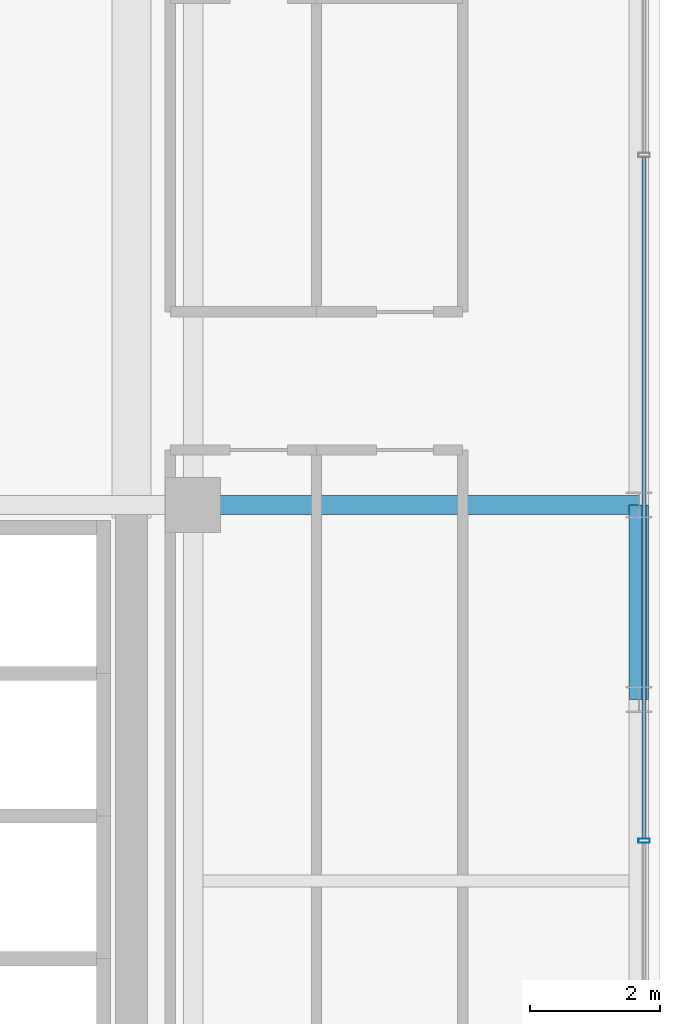
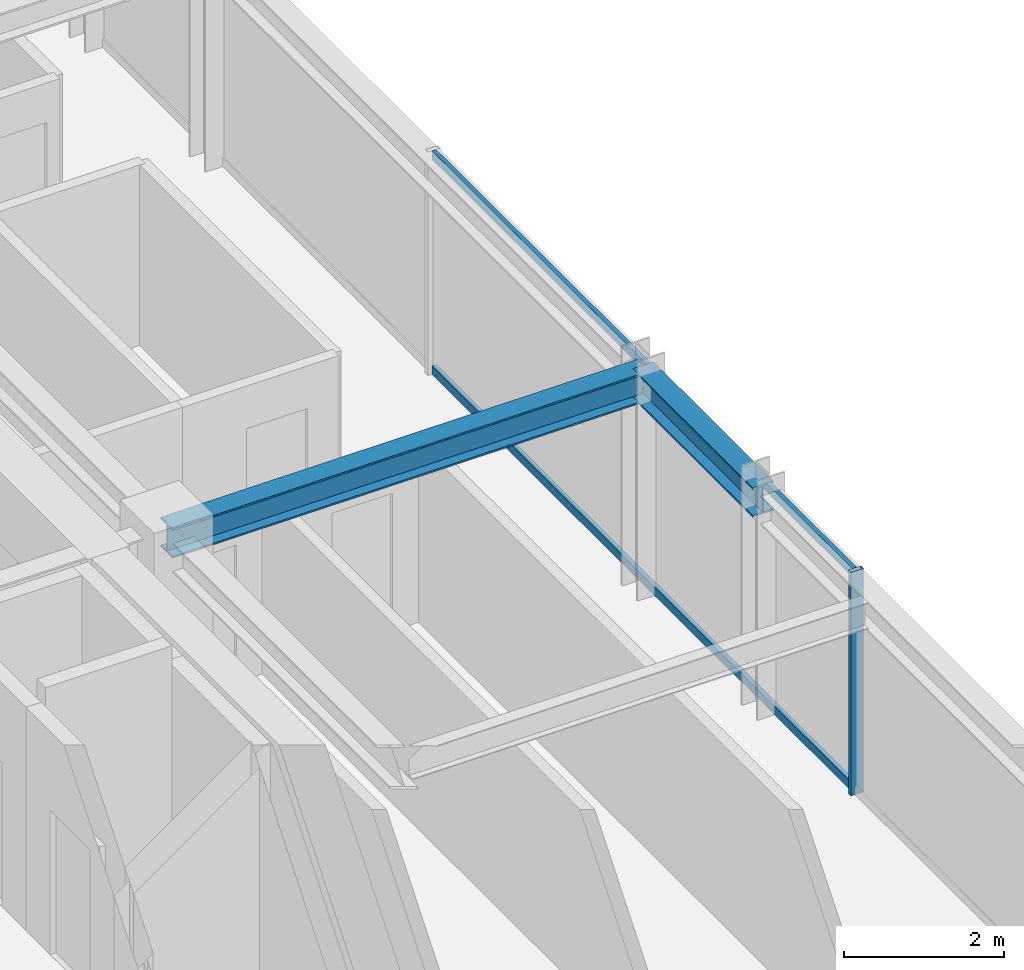
# One storey, part 16 of 35: 3 members, 2 beams, 1 element without a shape of its own.
"""IFC4 building model written with IfcOpenShell, lengths in metres."""

from ifc_helpers import new_model, si_unit, direction, frame, origin, origin_2d, place, context, subcontext, project, spatial, hollow_rectangle, i_section, extrude, source, transform, mapped, material, material_profile, profile_set, type_object, element, aggregate, save


model = new_model("IFC4")

# Units and contexts
model_context = context("Model", 3, precision=1e-05, world=origin(), true_north=direction((0.0, 1.0)))
body_context = subcontext(model_context, "Body", "Model", "MODEL_VIEW")
ifc_project = project(units=[si_unit("LENGTHUNIT", "METRE"), si_unit("AREAUNIT", "SQUARE_METRE"), si_unit("VOLUMEUNIT", "CUBIC_METRE"), si_unit("PLANEANGLEUNIT", "RADIAN"), si_unit("MASSUNIT", "GRAM", prefix="KILO")], contexts=[model_context])

# Site, building, storey
site_placement = place(None, origin())
site = spatial("IfcSite", under=ifc_project, at=site_placement, CompositionType="ELEMENT")
building_placement = place(site_placement, origin())
building = spatial("IfcBuilding", under=site, at=building_placement, Name="Nahalor Promenade Grand Hotel", CompositionType="ELEMENT")
storey_placement = place(building_placement, frame((0.0, 0.0, 216.0)))
storey = spatial("IfcBuildingStorey", under=building, at=storey_placement, Name="L55", CompositionType="ELEMENT", Elevation=216.0)

# Beams
ifc_material_1 = material(Name="Steel S355JR", Category="steel")
ifc_material_profile_1 = material_profile(ifc_material_1, i_section(OverallWidth=0.3, OverallDepth=0.45, WebThickness=0.014, FlangeThickness=0.026, at=origin_2d()), Name="HEB 450")
ifc_profile_set_1 = profile_set([ifc_material_profile_1], Name="Steel S355JR")
beam_type_1 = type_object("IfcBeamType", Name="Beam-Spandrel-HEB450", PredefinedType="SPANDREL", material=ifc_profile_set_1)
shared_shape_1 = source(origin(), body_context, "Body", "SweptSolid", [
    extrude(i_section(OverallWidth=0.3, OverallDepth=0.45, WebThickness=0.014, FlangeThickness=0.026, at=origin_2d()), origin(), (0.0, 0.0, 1.0), 3.0),
])
beam_1_placement = place(storey_placement, frame((23.8798828125, -8.39990234375, 3.18505859375), z_axis=(0.0, 1.0, 0.0), x_axis=(-1.0, 0.0, 0.0)))
element("IfcBeam", 1, at=beam_1_placement, inside=storey, type_object=beam_type_1, Name="BM-L55-SP-E-1", PredefinedType="SPANDREL", context=body_context, shape_type="MappedRepresentation", body=[
    mapped(shared_shape_1, transform((0.0, 0.0, 0.0), scale=1.0)),
])
ifc_material_profile_2 = material_profile(ifc_material_1, i_section(OverallWidth=0.3, OverallDepth=0.45, WebThickness=0.014, FlangeThickness=0.026, at=origin_2d()), Name="HEB 450")
ifc_profile_set_2 = profile_set([ifc_material_profile_2], Name="Steel S355JR")
beam_type_2 = type_object("IfcBeamType", Name="Beam-Girder-HEB450", PredefinedType="BEAM", material=ifc_profile_set_2)
shared_shape_2 = source(origin(), body_context, "Body", "SweptSolid", [
    extrude(i_section(OverallWidth=0.3, OverallDepth=0.45, WebThickness=0.014, FlangeThickness=0.026, at=origin_2d()), origin(), (0.0, 0.0, 1.0), 6.8798828125),
])
beam_2_placement = place(storey_placement, frame((17.0, -5.39990234375, 3.18505859375), z_axis=(1.0, 0.0, 0.0), x_axis=(0.0, 1.0, 0.0)))
element("IfcBeam", 2, at=beam_2_placement, inside=storey, type_object=beam_type_2, Name="BM-L55-GX-1-6", PredefinedType="BEAM", context=body_context, shape_type="MappedRepresentation", body=[
    mapped(shared_shape_2, transform((0.0, 0.0, 0.0), scale=1.0)),
])

# Curtain wall, members
ifc_material_2 = material(Name="Anodised Bronze Aluminium EN AW-6063 T6", Category="aluminium")
curtain_wall_type = type_object("IfcCurtainWallType", Name="CW2 Typical Hotel Flush Bronze Unitised Curtain Wall", PredefinedType="USERDEFINED", material=ifc_material_2)
curtain_wall_placement = place(storey_placement, origin())
curtain_wall = element("IfcCurtainWall", 3, at=curtain_wall_placement, inside=storey, type_object=curtain_wall_type, Name="L55 Curtain Wall CW-L55-E-1", ObjectType="UNITISED_CURTAIN_WALL", PredefinedType="USERDEFINED")
ifc_material_profile_3 = material_profile(ifc_material_2, hollow_rectangle(XDim=0.065, YDim=0.13, WallThickness=0.004, at=origin_2d()), Name="CWT 65x130x4")
ifc_profile_set_3 = profile_set([ifc_material_profile_3], Name="Anodised Bronze Aluminium EN AW-6063 T6")
member_type_1 = type_object("IfcMemberType", Name="CWT2 Typical Bronze Transom 65x130", PredefinedType="USERDEFINED", material=ifc_profile_set_3)
shared_shape_3 = source(origin(), body_context, "Body", "SweptSolid", [
    extrude(hollow_rectangle(XDim=0.065, YDim=0.13, WallThickness=0.004, at=origin_2d()), origin(), (0.0, 0.0, 1.0), 10.51513671875),
])
member_1_placement = place(storey_placement, frame((23.9599609375, -10.547607421875, 0.06494140625), z_axis=(0.0, 1.0, 0.0), x_axis=(-1.0, 0.0, 0.0)))
member_1 = element("IfcMember", 4, at=member_1_placement, type_object=member_type_1, Name="CW-L55-E-1 Transom 1-0", ObjectType="TRANSOM", PredefinedType="USERDEFINED", context=body_context, shape_type="MappedRepresentation", body=[
    mapped(shared_shape_3, transform((0.0, 0.0, 0.0), scale=1.0)),
])
member_2_placement = place(storey_placement, frame((23.9599609375, -10.547607421875, 3.344970703125), z_axis=(0.0, 1.0, 0.0), x_axis=(-1.0, 0.0, 0.0)))
member_2 = element("IfcMember", 5, at=member_2_placement, type_object=member_type_1, Name="CW-L55-E-1 Transom 1-1", ObjectType="TRANSOM", PredefinedType="USERDEFINED", context=body_context, shape_type="MappedRepresentation", body=[
    mapped(shared_shape_3, transform((0.0, 0.0, 0.0), scale=1.0)),
])
ifc_material_profile_4 = material_profile(ifc_material_2, hollow_rectangle(XDim=0.065, YDim=0.18, WallThickness=0.004, at=origin_2d()), Name="CWM 65x180x4")
ifc_profile_set_4 = profile_set([ifc_material_profile_4], Name="Anodised Bronze Aluminium EN AW-6063 T6")
member_type_2 = type_object("IfcMemberType", Name="CWM2 Typical Bronze Mullion 65x180", PredefinedType="MULLION", material=ifc_profile_set_4)
shared_shape_4 = source(origin(), body_context, "Body", "SweptSolid", [
    extrude(hollow_rectangle(XDim=0.065, YDim=0.18, WallThickness=0.004, at=origin_2d()), origin(), (0.0, 0.0, 1.0), 3.409912109375),
])
member_3_placement = place(storey_placement, frame((23.9599609375, -10.580078125, 0.0), z_axis=(0.0, 0.0, 1.0), x_axis=(0.0, 1.0, 0.0)))
member_3 = element("IfcMember", 6, at=member_3_placement, type_object=member_type_2, Name="CW-L55-E-1 Mullion 1", PredefinedType="MULLION", context=body_context, shape_type="MappedRepresentation", body=[
    mapped(shared_shape_4, transform((0.0, 0.0, 0.0), scale=1.0)),
])
aggregate(curtain_wall, [member_3, member_1, member_2])

save(model, "model.ifc")
